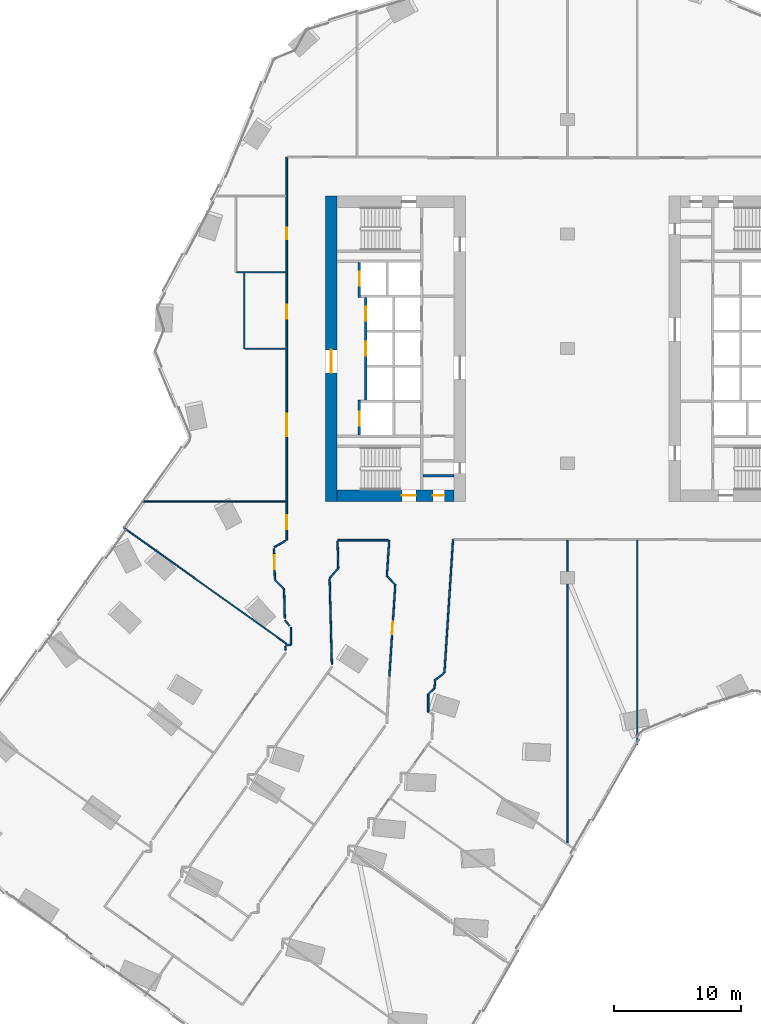
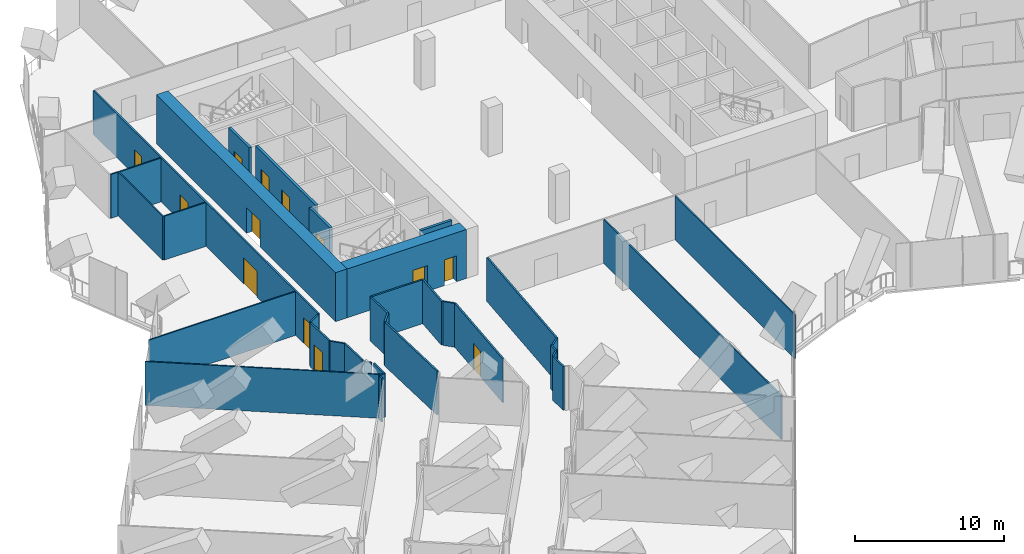
# One storey, part 26 of 34: 34 walls, 13 doors, 13 openings.
"""IFC4 building model written with IfcOpenShell, lengths in metres."""

from ifc_helpers import new_model, si_unit, direction, frame, frame_2d, origin, place, context, subcontext, project, spatial, rectangle, extrude, material, layer, layer_set, type_object, element, fill, save


model = new_model("IFC4")

# Units and contexts
model_context = context("Model", 3, precision=1e-05, world=origin(), true_north=direction((0.0, 1.0)))
body_context = subcontext(model_context, "Body", "Model", "MODEL_VIEW")
ifc_project = project(units=[si_unit("LENGTHUNIT", "METRE"), si_unit("AREAUNIT", "SQUARE_METRE"), si_unit("VOLUMEUNIT", "CUBIC_METRE"), si_unit("PLANEANGLEUNIT", "RADIAN"), si_unit("MASSUNIT", "GRAM", prefix="KILO")], contexts=[model_context])

# Site, building, storey
site_placement = place(None, origin())
site = spatial("IfcSite", under=ifc_project, at=site_placement, CompositionType="ELEMENT")
building_placement = place(site_placement, origin())
building = spatial("IfcBuilding", under=site, at=building_placement, Name="Orlundy Tower", CompositionType="ELEMENT")
storey_placement = place(building_placement, frame((0.0, 0.0, 98.199951171875)))
storey = spatial("IfcBuildingStorey", under=building, at=storey_placement, Name="L24", CompositionType="ELEMENT", Elevation=98.199951171875)

# Wall, openings, doors
ifc_material_1 = material(Name="Concrete C80/95", Category="concrete")
ifc_layer_1 = layer(ifc_material_1, 0.89990234375)
ifc_layer_set_1 = layer_set([ifc_layer_1], Name="CORE WALL 900 C80/95")
wall_type_1 = type_object("IfcWallType", Name="CORE WALL 900 C80/95", PredefinedType="SHEAR", material=ifc_layer_set_1)
wall_1_placement = place(storey_placement, frame((-18.10009765625, -11.550048828125, 0.0), z_axis=(0.0, 0.0, 1.0), x_axis=(1.0, 0.0, 0.0)))
wall_1 = element("IfcWall", 1, at=wall_1_placement, inside=storey, type_object=wall_type_1, Name="Core wall W-S L24", PredefinedType="SHEAR", context=body_context, shape_type="SweptSolid", body=[
    extrude(rectangle(XDim=9.2001953125, YDim=0.89990234375, at=frame_2d((4.60009765625, 0.0))), origin(), (0.0, 0.0, 1.0), 4.0),
])
opening_1_placement = place(wall_1_placement, frame((5.10009765625, 0.0, 0.0)))
opening_1 = element("IfcOpeningElement", 2, at=opening_1_placement, cuts=wall_1, Name="Opening 19013", PredefinedType="OPENING", context=body_context, shape_type="SweptSolid", body=[
    extrude(rectangle(XDim=1.10009765625, YDim=2.10009765625, at=frame_2d((0.550048828125, 1.050048828125))), frame((0.0, 0.4599609375, 0.0), z_axis=(0.0, -1.0, 0.0), x_axis=(1.0, 0.0, 0.0)), (0.0, 0.0, 1.0), 0.919921875),
])
opening_2_placement = place(wall_1_placement, frame((7.530029296875, 0.0, 0.0)))
opening_2 = element("IfcOpeningElement", 3, at=opening_2_placement, cuts=wall_1, Name="Opening 19015", PredefinedType="OPENING", context=body_context, shape_type="SweptSolid", body=[
    extrude(rectangle(XDim=0.89990234375, YDim=2.10009765625, at=frame_2d((0.449951171875, 1.050048828125))), frame((0.0, 0.4599609375, 0.0), z_axis=(0.0, -1.0, 0.0), x_axis=(1.0, 0.0, 0.0)), (0.0, 0.0, 1.0), 0.919921875),
])
ifc_material_2 = material(Name="Timber door set", Category="wood")
door_type_1 = type_object("IfcDoorType", Name="Room Door 900x2100", OperationType="SINGLE_SWING_LEFT", PredefinedType="DOOR", material=ifc_material_2)
door_1_placement = place(opening_2_placement, origin())
door_1 = element("IfcDoor", 4, at=door_1_placement, inside=storey, type_object=door_type_1, Name="Store door 19015", OperationType="SINGLE_SWING_RIGHT", OverallHeight=2.10009765625, OverallWidth=0.89990234375, PredefinedType="DOOR", context=body_context, shape_type="SweptSolid", body=[
    extrude(rectangle(XDim=0.89990234375, YDim=2.10009765625, at=frame_2d((0.449951171875, 1.050048828125))), frame((0.0, 0.02490234375, 0.0), z_axis=(0.0, -1.0, 0.0), x_axis=(1.0, 0.0, 0.0)), (0.0, 0.0, 1.0), 0.050048828125),
])
fill(opening_2, door_1)
ifc_material_3 = material(Name="Steel door set", Category="steel")
door_type_2 = type_object("IfcDoorType", Name="Stair Door 1100x2100", OperationType="SINGLE_SWING_LEFT", PredefinedType="DOOR", material=ifc_material_3)
door_2_placement = place(opening_1_placement, origin())
door_2 = element("IfcDoor", 5, at=door_2_placement, inside=storey, type_object=door_type_2, Name="Stair door 19013", OperationType="SINGLE_SWING_RIGHT", OverallHeight=2.10009765625, OverallWidth=1.10009765625, PredefinedType="DOOR", context=body_context, shape_type="SweptSolid", body=[
    extrude(rectangle(XDim=1.10009765625, YDim=2.10009765625, at=frame_2d((0.550048828125, 1.050048828125))), frame((0.0, 0.02490234375, 0.0), z_axis=(0.0, -1.0, 0.0), x_axis=(1.0, 0.0, 0.0)), (0.0, 0.0, 1.0), 0.050048828125),
])
fill(opening_1, door_2)

# Wall, opening, door
wall_2_placement = place(storey_placement, frame((-18.550048828125, -12.0, 0.0), z_axis=(0.0, 0.0, 1.0), x_axis=(0.0, 1.0, 0.0)))
wall_2 = element("IfcWall", 6, at=wall_2_placement, inside=storey, type_object=wall_type_1, Name="Core wall W-W L24", PredefinedType="SHEAR", context=body_context, shape_type="SweptSolid", body=[
    extrude(rectangle(XDim=24.0, YDim=0.89990234375, at=frame_2d((12.0, 0.0))), origin(), (0.0, 0.0, 1.0), 4.0),
])
opening_3_placement = place(wall_2_placement, frame((10.10009765625, 0.0, 0.0)))
opening_3 = element("IfcOpeningElement", 7, at=opening_3_placement, cuts=wall_2, Name="Opening 19010", PredefinedType="OPENING", context=body_context, shape_type="SweptSolid", body=[
    extrude(rectangle(XDim=1.800048828125, YDim=2.10009765625, at=frame_2d((0.89990234375, 1.050048828125))), frame((0.0, 0.4599609375, 0.0), z_axis=(0.0, -1.0, 0.0), x_axis=(1.0, 0.0, 0.0)), (0.0, 0.0, 1.0), 0.919921875),
])
ifc_material_4 = material(Name="Timber door set", Category="wood")
door_type_3 = type_object("IfcDoorType", Name="Lobby Door 1800x2100", OperationType="DOUBLE_DOOR_DOUBLE_SWING", PredefinedType="DOOR", material=ifc_material_4)
door_3_placement = place(opening_3_placement, origin())
door_3 = element("IfcDoor", 8, at=door_3_placement, inside=storey, type_object=door_type_3, Name="Lift lobby door 19010", OperationType="SINGLE_SWING_LEFT", OverallHeight=2.10009765625, OverallWidth=1.800048828125, PredefinedType="DOOR", context=body_context, shape_type="SweptSolid", body=[
    extrude(rectangle(XDim=1.800048828125, YDim=2.10009765625, at=frame_2d((0.89990234375, 1.050048828125))), frame((0.0, 0.02490234375, 0.0), z_axis=(0.0, -1.0, 0.0), x_axis=(1.0, 0.0, 0.0)), (0.0, 0.0, 1.0), 0.050048828125),
])
fill(opening_3, door_3)

# Walls
ifc_material_5 = material(Name="Gypsum board partition")
ifc_layer_2 = layer(ifc_material_5, 0.10009765625)
ifc_layer_set_2 = layer_set([ifc_layer_2], Name="Floor partition 100")
wall_type_2 = type_object("IfcWallType", Name="Floor partition 100", PredefinedType="PARTITIONING", material=ifc_layer_set_2)
wall_3_placement = place(storey_placement, frame((-34.889892578125, -14.0419921875, 0.0), z_axis=(0.0, 0.0, 1.0), x_axis=(0.814087743621, -0.580741892484, 0.0)))
element("IfcWall", 9, at=wall_3_placement, inside=storey, type_object=wall_type_2, Name="wall-int-L24-018", PredefinedType="PARTITIONING", context=body_context, shape_type="SweptSolid", body=[
    extrude(rectangle(XDim=15.731689453125, YDim=0.10009765625, at=frame_2d((7.86572265625, 0.0))), origin(), (0.0, 0.0, 1.0), 3.580078125),
])
wall_4_placement = place(storey_placement, frame((-33.43310546875, -12.0, 0.0), z_axis=(0.0, 0.0, 1.0), x_axis=(1.0, 0.0, 0.0)))
element("IfcWall", 10, at=wall_4_placement, inside=storey, type_object=wall_type_2, Name="wall-int-L24-066", PredefinedType="PARTITIONING", context=body_context, shape_type="SweptSolid", body=[
    extrude(rectangle(XDim=11.320068359375, YDim=0.10009765625, at=frame_2d((5.66015625, 0.0))), origin(), (0.0, 0.0, 1.0), 3.580078125),
])
wall_5_placement = place(storey_placement, frame((-25.3310546875, 0.0009765625, 0.0), z_axis=(0.0, 0.0, 1.0), x_axis=(1.0, 0.0, 0.0)))
element("IfcWall", 11, at=wall_5_placement, inside=storey, type_object=wall_type_2, Name="wall-int-L24-074", PredefinedType="PARTITIONING", context=body_context, shape_type="SweptSolid", body=[
    extrude(rectangle(XDim=3.218017578125, YDim=0.10009765625, at=frame_2d((1.60888671875, 0.0))), origin(), (0.0, 0.0, 1.0), 3.580078125),
])
wall_6_placement = place(storey_placement, frame((-25.998046875, 6.0009765625, 0.0), z_axis=(0.0, 0.0, 1.0), x_axis=(1.0, 0.0, 0.0)))
element("IfcWall", 12, at=wall_6_placement, inside=storey, type_object=wall_type_2, Name="wall-int-L24-075", PredefinedType="PARTITIONING", context=body_context, shape_type="SweptSolid", body=[
    extrude(rectangle(XDim=3.885009765625, YDim=0.10009765625, at=frame_2d((1.9423828125, 0.0))), origin(), (0.0, 0.0, 1.0), 3.580078125),
])
wall_7_placement = place(storey_placement, frame((5.493896484375, -31.1259765625, 0.0), z_axis=(0.0, 0.0, 1.0), x_axis=(7.5990151e-05, 0.999999997113, 0.0)))
element("IfcWall", 13, at=wall_7_placement, inside=storey, type_object=wall_type_2, Name="wall-int-L24-137", PredefinedType="PARTITIONING", context=body_context, shape_type="SweptSolid", body=[
    extrude(rectangle(XDim=16.06396484375, YDim=0.10009765625, at=frame_2d((8.031982421875, 0.0))), origin(), (0.0, 0.0, 1.0), 3.580078125),
])
wall_8_placement = place(storey_placement, frame((0.0, -38.83203125, 0.0), z_axis=(0.0, 0.0, 1.0), x_axis=(0.0, 1.0, 0.0)))
element("IfcWall", 14, at=wall_8_placement, inside=storey, type_object=wall_type_2, Name="wall-int-L24-139", PredefinedType="PARTITIONING", context=body_context, shape_type="SweptSolid", body=[
    extrude(rectangle(XDim=23.77001953125, YDim=0.10009765625, at=frame_2d((11.885009765625, 0.0))), origin(), (0.0, 0.0, 1.0), 3.580078125),
])
wall_9_placement = place(storey_placement, frame((-25.382080078125, 0.001953125, 0.0), z_axis=(0.0, 0.0, 1.0), x_axis=(0.0, 1.0, 0.0)))
element("IfcWall", 15, at=wall_9_placement, inside=storey, type_object=wall_type_2, Name="wall-int-L24-153", PredefinedType="PARTITIONING", context=body_context, shape_type="SweptSolid", body=[
    extrude(rectangle(XDim=5.948974609375, YDim=0.10009765625, at=frame_2d((2.974609375, 0.0))), origin(), (0.0, 0.0, 1.0), 3.580078125),
])

# Wall, opening, door
ifc_material_6 = material(Name="Gypsum board partition, double layer")
ifc_layer_3 = layer(ifc_material_6, 0.125)
ifc_layer_set_3 = layer_set([ifc_layer_3], Name="Floor partition 125")
wall_type_3 = type_object("IfcWallType", Name="Floor partition 125", PredefinedType="PARTITIONING", material=ifc_layer_set_3)
wall_10_placement = place(storey_placement, frame((-22.98388671875, -18.10205078125, 0.0), z_axis=(0.0, 0.0, 1.0), x_axis=(-0.025838526194, 0.999666129547, 0.0)))
wall_10 = element("IfcWall", 16, at=wall_10_placement, inside=storey, type_object=wall_type_3, Name="wall-int-L24-001", PredefinedType="PARTITIONING", context=body_context, shape_type="SweptSolid", body=[
    extrude(rectangle(XDim=2.39990234375, YDim=0.125, at=frame_2d((1.199951171875, 0.0))), origin(), (0.0, 0.0, 1.0), 3.580078125),
])
opening_4_placement = place(wall_10_placement, frame((0.78759765625, 0.0, 0.0)))
opening_4 = element("IfcOpeningElement", 17, at=opening_4_placement, cuts=wall_10, Name="Opening 19123", PredefinedType="OPENING", context=body_context, shape_type="SweptSolid", body=[
    extrude(rectangle(XDim=1.10009765625, YDim=2.10009765625, at=frame_2d((0.550048828125, 1.050048828125))), frame((0.0, 0.072509765625, 0.0), z_axis=(0.0, -1.0, 0.0), x_axis=(1.0, 0.0, 0.0)), (0.0, 0.0, 1.0), 0.14501953125),
])
ifc_material_7 = material(Name="Timber door leaf", Category="wood")
door_type_4 = type_object("IfcDoorType", Name="Floor door xwide 1100 FD30S", OperationType="NOTDEFINED", PredefinedType="DOOR", material=ifc_material_7)
door_4_placement = place(opening_4_placement, origin())
door_4 = element("IfcDoor", 18, at=door_4_placement, inside=storey, type_object=door_type_4, Name="Door 19123", OperationType="SINGLE_SWING_RIGHT", OverallHeight=2.10009765625, OverallWidth=1.10009765625, PredefinedType="DOOR", context=body_context, shape_type="SweptSolid", body=[
    extrude(rectangle(XDim=1.10009765625, YDim=2.10009765625, at=frame_2d((0.550048828125, 1.050048828125))), frame((0.0, 0.02490234375, 0.0), z_axis=(0.0, -1.0, 0.0), x_axis=(1.0, 0.0, 0.0)), (0.0, 0.0, 1.0), 0.050048828125),
])
fill(opening_4, door_4)

# Walls
wall_11_placement = place(storey_placement, frame((-22.262939453125, -18.906982421875, 0.0), z_axis=(0.0, 0.0, 1.0), x_axis=(0.026365871187, -0.999652359991, 0.0)))
element("IfcWall", 19, at=wall_11_placement, inside=storey, type_object=wall_type_3, Name="wall-int-L24-002", PredefinedType="PARTITIONING", context=body_context, shape_type="SweptSolid", body=[
    extrude(rectangle(XDim=2.27783203125, YDim=0.125, at=frame_2d((1.138916015625, 0.0))), origin(), (0.0, 0.0, 1.0), 3.580078125),
])
wall_12_placement = place(storey_placement, frame((-22.14599609375, -23.39208984375, 0.0), z_axis=(0.0, 0.0, 1.0), x_axis=(0.026582061999, -0.999646634556, 0.0)))
element("IfcWall", 20, at=wall_12_placement, inside=storey, type_object=wall_type_3, Name="wall-int-L24-003", PredefinedType="PARTITIONING", context=body_context, shape_type="SweptSolid", body=[
    extrude(rectangle(XDim=0.302978515625, YDim=0.125, at=frame_2d((0.1513671875, 0.0))), origin(), (0.0, 0.0, 1.0), 3.580078125),
])
wall_13_placement = place(storey_placement, frame((-18.680908203125, -18.114013671875, 0.0), z_axis=(0.0, 0.0, 1.0), x_axis=(0.025970949463, -0.999662698006, 0.0)))
element("IfcWall", 21, at=wall_13_placement, inside=storey, type_object=wall_type_3, Name="wall-int-L24-004", PredefinedType="PARTITIONING", context=body_context, shape_type="SweptSolid", body=[
    extrude(rectangle(XDim=6.693115234375, YDim=0.125, at=frame_2d((3.3466796875, 0.0))), origin(), (0.0, 0.0, 1.0), 3.580078125),
])
wall_14_placement = place(storey_placement, frame((-18.05908203125, -15.113037109375, 0.0), z_axis=(0.0, 0.0, 1.0), x_axis=(0.026000479926, -0.999661930376, 0.0)))
element("IfcWall", 22, at=wall_14_placement, inside=storey, type_object=wall_type_3, Name="wall-int-L24-005", PredefinedType="PARTITIONING", context=body_context, shape_type="SweptSolid", body=[
    extrude(rectangle(XDim=2.15966796875, YDim=0.125, at=frame_2d((1.079833984375, 0.0))), origin(), (0.0, 0.0, 1.0), 3.580078125),
])
wall_15_placement = place(storey_placement, frame((-22.198974609375, -21.35302734375, 0.0), z_axis=(0.0, 0.0, 1.0), x_axis=(0.673360118055, -0.739314649803, 0.0)))
element("IfcWall", 23, at=wall_15_placement, inside=storey, type_object=wall_type_3, Name="wall-int-L24-008", PredefinedType="PARTITIONING", context=body_context, shape_type="SweptSolid", body=[
    extrude(rectangle(XDim=0.5478515625, YDim=0.125, at=frame_2d((0.27392578125, 0.0))), origin(), (0.0, 0.0, 1.0), 3.580078125),
])
wall_16_placement = place(storey_placement, frame((-10.333984375, -26.0, 0.0), z_axis=(0.0, 0.0, 1.0), x_axis=(0.784984641374, 0.619515224032, 0.0)))
element("IfcWall", 24, at=wall_16_placement, inside=storey, type_object=wall_type_3, Name="wall-int-L24-041", PredefinedType="PARTITIONING", context=body_context, shape_type="SweptSolid", body=[
    extrude(rectangle(XDim=0.858642578125, YDim=0.125, at=frame_2d((0.42919921875, 0.0))), origin(), (0.0, 0.0, 1.0), 3.580078125),
])
wall_17_placement = place(storey_placement, frame((-14.123046875, -17.93408203125, 0.0), z_axis=(0.0, 0.0, 1.0), x_axis=(0.698373637728, -0.715733373629, 0.0)))
element("IfcWall", 25, at=wall_17_placement, inside=storey, type_object=wall_type_3, Name="wall-int-L24-045", PredefinedType="PARTITIONING", context=body_context, shape_type="SweptSolid", body=[
    extrude(rectangle(XDim=0.85791015625, YDim=0.125, at=frame_2d((0.428955078125, 0.0))), origin(), (0.0, 0.0, 1.0), 3.580078125),
])
wall_18_placement = place(storey_placement, frame((-10.931884765625, -27.14892578125, 0.0), z_axis=(0.0, 0.0, 1.0), x_axis=(0.72568194661, 0.68803031355, 0.0)))
element("IfcWall", 26, at=wall_18_placement, inside=storey, type_object=wall_type_3, Name="wall-int-L24-056", PredefinedType="PARTITIONING", context=body_context, shape_type="SweptSolid", body=[
    extrude(rectangle(XDim=0.687255859375, YDim=0.125, at=frame_2d((0.34375, 0.0))), origin(), (0.0, 0.0, 1.0), 3.580078125),
])
wall_19_placement = place(storey_placement, frame((-22.14794921875, -23.281005859375, 0.0), z_axis=(0.0, 0.0, 1.0), x_axis=(1.0, 0.0, 0.0)))
element("IfcWall", 27, at=wall_19_placement, inside=storey, type_object=wall_type_3, Name="wall-int-L24-057", PredefinedType="PARTITIONING", context=body_context, shape_type="SweptSolid", body=[
    extrude(rectangle(XDim=0.427001953125, YDim=0.125, at=frame_2d((0.21337890625, 0.0))), origin(), (0.0, 0.0, 1.0), 3.580078125),
])
wall_20_placement = place(storey_placement, frame((-18.06103515625, -15.051025390625, 0.0), z_axis=(0.0, 0.0, 1.0), x_axis=(1.0, 0.0, 0.0)))
element("IfcWall", 28, at=wall_20_placement, inside=storey, type_object=wall_type_3, Name="wall-int-L24-061", PredefinedType="PARTITIONING", context=body_context, shape_type="SweptSolid", body=[
    extrude(rectangle(XDim=3.9990234375, YDim=0.125, at=frame_2d((1.99951171875, 0.0))), origin(), (0.0, 0.0, 1.0), 3.580078125),
])
wall_21_placement = place(storey_placement, frame((-22.98193359375, -18.1640625, 0.0), z_axis=(0.0, 0.0, 1.0), x_axis=(0.695441095264, -0.718583107941, 0.0)))
element("IfcWall", 29, at=wall_21_placement, inside=storey, type_object=wall_type_3, Name="wall-int-L24-081", PredefinedType="PARTITIONING", context=body_context, shape_type="SweptSolid", body=[
    extrude(rectangle(XDim=1.033935546875, YDim=0.125, at=frame_2d((0.51708984375, 0.0))), origin(), (0.0, 0.0, 1.0), 3.580078125),
])
wall_22_placement = place(storey_placement, frame((-18.68310546875, -18.052001953125, 0.0), z_axis=(0.0, 0.0, 1.0), x_axis=(0.657217677818, 0.753700818603, 0.0)))
element("IfcWall", 30, at=wall_22_placement, inside=storey, type_object=wall_type_3, Name="wall-int-L24-082", PredefinedType="PARTITIONING", context=body_context, shape_type="SweptSolid", body=[
    extrude(rectangle(XDim=1.034912109375, YDim=0.125, at=frame_2d((0.517578125, 0.0))), origin(), (0.0, 0.0, 1.0), 3.580078125),
])
wall_23_placement = place(storey_placement, frame((-23.034912109375, -15.594970703125, 0.0), z_axis=(0.0, 0.0, 1.0), x_axis=(0.871862217124, 0.489751237213, 0.0)))
element("IfcWall", 31, at=wall_23_placement, inside=storey, type_object=wall_type_3, Name="wall-int-L24-084", PredefinedType="PARTITIONING", context=body_context, shape_type="SweptSolid", body=[
    extrude(rectangle(XDim=1.02294921875, YDim=0.125, at=frame_2d((0.511474609375, 0.0))), origin(), (0.0, 0.0, 1.0), 3.580078125),
])
wall_24_placement = place(storey_placement, frame((-9.659912109375, -25.468017578125, 0.0), z_axis=(0.0, 0.0, 1.0), x_axis=(0.064433857117, 0.997921979945, 0.0)))
element("IfcWall", 32, at=wall_24_placement, inside=storey, type_object=wall_type_3, Name="wall-int-L24-117", PredefinedType="PARTITIONING", context=body_context, shape_type="SweptSolid", body=[
    extrude(rectangle(XDim=10.49169921875, YDim=0.125, at=frame_2d((5.245849609375, 0.0))), origin(), (0.0, 0.0, 1.0), 3.580078125),
])

# Wall, opening, door
wall_25_placement = place(storey_placement, frame((-13.989990234375, -25.781982421875, 0.0), z_axis=(0.0, 0.0, 1.0), x_axis=(0.0642946406, 0.99793095913, 0.0)))
wall_25 = element("IfcWall", 33, at=wall_25_placement, inside=storey, type_object=wall_type_3, Name="wall-int-L24-118", PredefinedType="PARTITIONING", context=body_context, shape_type="SweptSolid", body=[
    extrude(rectangle(XDim=7.248779296875, YDim=0.125, at=frame_2d((3.62451171875, 0.0))), origin(), (0.0, 0.0, 1.0), 3.580078125),
])
opening_5_placement = place(wall_25_placement, frame((3.35009765625, 0.0, 0.0)))
opening_5 = element("IfcOpeningElement", 34, at=opening_5_placement, cuts=wall_25, Name="Opening 19125", PredefinedType="OPENING", context=body_context, shape_type="SweptSolid", body=[
    extrude(rectangle(XDim=1.0, YDim=2.10009765625, at=frame_2d((0.5, 1.050048828125))), frame((0.0, 0.072509765625, 0.0), z_axis=(0.0, -1.0, 0.0), x_axis=(1.0, 0.0, 0.0)), (0.0, 0.0, 1.0), 0.14501953125),
])
ifc_material_8 = material(Name="Timber door leaf", Category="wood")
door_type_5 = type_object("IfcDoorType", Name="Floor door wide 1000 FD30S", OperationType="NOTDEFINED", PredefinedType="DOOR", material=ifc_material_8)
door_5_placement = place(opening_5_placement, origin())
door_5 = element("IfcDoor", 35, at=door_5_placement, inside=storey, type_object=door_type_5, Name="Door 19125", OperationType="SINGLE_SWING_RIGHT", OverallHeight=2.10009765625, OverallWidth=1.0, PredefinedType="DOOR", context=body_context, shape_type="SweptSolid", body=[
    extrude(rectangle(XDim=1.0, YDim=2.10009765625, at=frame_2d((0.5, 1.050048828125))), frame((0.0, 0.02490234375, 0.0), z_axis=(0.0, -1.0, 0.0), x_axis=(1.0, 0.0, 0.0)), (0.0, 0.0, 1.0), 0.050048828125),
])
fill(opening_5, door_5)

# Walls
wall_26_placement = place(storey_placement, frame((-14.18505859375, -17.929931640625, 0.0), z_axis=(0.0, 0.0, 1.0), x_axis=(0.064485583676, 0.997918638717, 0.0)))
element("IfcWall", 36, at=wall_26_placement, inside=storey, type_object=wall_type_3, Name="wall-int-L24-119", PredefinedType="PARTITIONING", context=body_context, shape_type="SweptSolid", body=[
    extrude(rectangle(XDim=2.885009765625, YDim=0.125, at=frame_2d((1.4423828125, 0.0))), origin(), (0.0, 0.0, 1.0), 3.580078125),
])
wall_27_placement = place(storey_placement, frame((-10.43310546875, -26.676025390625, 0.0), z_axis=(0.0, 0.0, 1.0), x_axis=(0.054496990339, 0.998513934827, 0.0)))
element("IfcWall", 37, at=wall_27_placement, inside=storey, type_object=wall_type_3, Name="wall-int-L24-121", PredefinedType="PARTITIONING", context=body_context, shape_type="SweptSolid", body=[
    extrude(rectangle(XDim=0.680908203125, YDim=0.125, at=frame_2d((0.34033203125, 0.0))), origin(), (0.0, 0.0, 1.0), 3.580078125),
])
wall_28_placement = place(storey_placement, frame((-10.931884765625, -28.568115234375, 0.0), z_axis=(0.0, 0.0, 1.0), x_axis=(0.0, 1.0, 0.0)))
element("IfcWall", 38, at=wall_28_placement, inside=storey, type_object=wall_type_3, Name="wall-int-L24-142", PredefinedType="PARTITIONING", context=body_context, shape_type="SweptSolid", body=[
    extrude(rectangle(XDim=1.419189453125, YDim=0.125, at=frame_2d((0.70947265625, 0.0))), origin(), (0.0, 0.0, 1.0), 3.580078125),
])
wall_29_placement = place(storey_placement, frame((-21.720947265625, -23.281005859375, 0.0), z_axis=(0.0, 0.0, 1.0), x_axis=(0.0, 1.0, 0.0)))
element("IfcWall", 39, at=wall_29_placement, inside=storey, type_object=wall_type_3, Name="wall-int-L24-147", PredefinedType="PARTITIONING", context=body_context, shape_type="SweptSolid", body=[
    extrude(rectangle(XDim=1.404052734375, YDim=0.125, at=frame_2d((0.7021484375, 0.0))), origin(), (0.0, 0.0, 1.0), 3.580078125),
])

# Wall, openings, doors
wall_30_placement = place(storey_placement, frame((-22.050048828125, -15.0419921875, 0.0), z_axis=(0.0, 0.0, 1.0), x_axis=(0.0, 1.0, 0.0)))
wall_30 = element("IfcWall", 40, at=wall_30_placement, inside=storey, type_object=wall_type_3, Name="wall-int-L24-148", PredefinedType="PARTITIONING", context=body_context, shape_type="SweptSolid", body=[
    extrude(rectangle(XDim=30.093017578125, YDim=0.125, at=frame_2d((15.04638671875, 0.0))), origin(), (0.0, 0.0, 1.0), 3.580078125),
])
opening_6_placement = place(wall_30_placement, frame((8.14208984375, 0.0, 0.0)))
opening_6 = element("IfcOpeningElement", 41, at=opening_6_placement, cuts=wall_30, Name="Opening 19122", PredefinedType="OPENING", context=body_context, shape_type="SweptSolid", body=[
    extrude(rectangle(XDim=1.800048828125, YDim=2.10009765625, at=frame_2d((0.89990234375, 1.050048828125))), frame((0.0, 0.072509765625, 0.0), z_axis=(0.0, -1.0, 0.0), x_axis=(1.0, 0.0, 0.0)), (0.0, 0.0, 1.0), 0.14501953125),
])
opening_7_placement = place(wall_30_placement, frame((0.85009765625, 0.0, 0.0)))
opening_7 = element("IfcOpeningElement", 42, at=opening_7_placement, cuts=wall_30, Name="Opening 19124", PredefinedType="OPENING", context=body_context, shape_type="SweptSolid", body=[
    extrude(rectangle(XDim=1.10009765625, YDim=2.10009765625, at=frame_2d((0.550048828125, 1.050048828125))), frame((0.0, 0.072509765625, 0.0), z_axis=(0.0, -1.0, 0.0), x_axis=(1.0, 0.0, 0.0)), (0.0, 0.0, 1.0), 0.14501953125),
])
opening_8_placement = place(wall_30_placement, frame((23.64306640625, 0.0, 0.0)))
opening_8 = element("IfcOpeningElement", 43, at=opening_8_placement, cuts=wall_30, Name="Opening 19137", PredefinedType="OPENING", context=body_context, shape_type="SweptSolid", body=[
    extrude(rectangle(XDim=0.89990234375, YDim=2.10009765625, at=frame_2d((0.449951171875, 1.050048828125))), frame((0.0, 0.072509765625, 0.0), z_axis=(0.0, -1.0, 0.0), x_axis=(1.0, 0.0, 0.0)), (0.0, 0.0, 1.0), 0.14501953125),
])
opening_9_placement = place(wall_30_placement, frame((17.39404296875, 0.0, 0.0)))
opening_9 = element("IfcOpeningElement", 44, at=opening_9_placement, cuts=wall_30, Name="Opening 19138", PredefinedType="OPENING", context=body_context, shape_type="SweptSolid", body=[
    extrude(rectangle(XDim=1.10009765625, YDim=2.10009765625, at=frame_2d((0.550048828125, 1.050048828125))), frame((0.0, 0.072509765625, 0.0), z_axis=(0.0, -1.0, 0.0), x_axis=(1.0, 0.0, 0.0)), (0.0, 0.0, 1.0), 0.14501953125),
])
ifc_material_9 = material(Name="Timber door leaf", Category="wood")
door_type_6 = type_object("IfcDoorType", Name="Floor door double 1800 FD30S", OperationType="NOTDEFINED", PredefinedType="DOOR", material=ifc_material_9)
door_6_placement = place(opening_6_placement, origin())
door_6 = element("IfcDoor", 45, at=door_6_placement, inside=storey, type_object=door_type_6, Name="Door 19122", OperationType="DOUBLE_DOOR_SINGLE_SWING", OverallHeight=2.10009765625, OverallWidth=1.800048828125, PredefinedType="DOOR", context=body_context, shape_type="SweptSolid", body=[
    extrude(rectangle(XDim=1.800048828125, YDim=2.10009765625, at=frame_2d((0.89990234375, 1.050048828125))), frame((0.0, 0.02490234375, 0.0), z_axis=(0.0, -1.0, 0.0), x_axis=(1.0, 0.0, 0.0)), (0.0, 0.0, 1.0), 0.050048828125),
])
fill(opening_6, door_6)
ifc_material_10 = material(Name="Timber door leaf", Category="wood")
door_type_7 = type_object("IfcDoorType", Name="Floor door single 900 FD30S", OperationType="NOTDEFINED", PredefinedType="DOOR", material=ifc_material_10)
door_7_placement = place(opening_8_placement, origin())
door_7 = element("IfcDoor", 46, at=door_7_placement, inside=storey, type_object=door_type_7, Name="Door 19137", OperationType="SINGLE_SWING_RIGHT", OverallHeight=2.10009765625, OverallWidth=0.89990234375, PredefinedType="DOOR", context=body_context, shape_type="SweptSolid", body=[
    extrude(rectangle(XDim=0.89990234375, YDim=2.10009765625, at=frame_2d((0.449951171875, 1.050048828125))), frame((0.0, 0.02490234375, 0.0), z_axis=(0.0, -1.0, 0.0), x_axis=(1.0, 0.0, 0.0)), (0.0, 0.0, 1.0), 0.050048828125),
])
fill(opening_8, door_7)
door_8_placement = place(opening_7_placement, origin())
door_8 = element("IfcDoor", 47, at=door_8_placement, inside=storey, type_object=door_type_4, Name="Door 19124", OperationType="SINGLE_SWING_LEFT", OverallHeight=2.10009765625, OverallWidth=1.10009765625, PredefinedType="DOOR", context=body_context, shape_type="SweptSolid", body=[
    extrude(rectangle(XDim=1.10009765625, YDim=2.10009765625, at=frame_2d((0.550048828125, 1.050048828125))), frame((0.0, 0.02490234375, 0.0), z_axis=(0.0, -1.0, 0.0), x_axis=(1.0, 0.0, 0.0)), (0.0, 0.0, 1.0), 0.050048828125),
])
fill(opening_7, door_8)
door_9_placement = place(opening_9_placement, origin())
door_9 = element("IfcDoor", 48, at=door_9_placement, inside=storey, type_object=door_type_4, Name="Door 19138", OperationType="SINGLE_SWING_RIGHT", OverallHeight=2.10009765625, OverallWidth=1.10009765625, PredefinedType="DOOR", context=body_context, shape_type="SweptSolid", body=[
    extrude(rectangle(XDim=1.10009765625, YDim=2.10009765625, at=frame_2d((0.550048828125, 1.050048828125))), frame((0.0, 0.02490234375, 0.0), z_axis=(0.0, -1.0, 0.0), x_axis=(1.0, 0.0, 0.0)), (0.0, 0.0, 1.0), 0.050048828125),
])
fill(opening_9, door_9)

# Wall
ifc_material_11 = material(Name="Gypsum board partition on steel studs", Category="steel")
ifc_layer_4 = layer(ifc_material_11, 0.199951171875)
ifc_layer_set_4 = layer_set([ifc_layer_4], Name="Partition 200")
wall_type_4 = type_object("IfcWallType", Name="Partition 200", PredefinedType="PARTITIONING", material=ifc_layer_set_4)
wall_31_placement = place(storey_placement, frame((-8.89990234375, -10.0, 0.0), z_axis=(0.0, 0.0, 1.0), x_axis=(-1.0, 0.0, 0.0)))
element("IfcWall", 49, at=wall_31_placement, inside=storey, type_object=wall_type_4, Name="Partition wall W19-room-s0", PredefinedType="PARTITIONING", context=body_context, shape_type="SweptSolid", body=[
    extrude(rectangle(XDim=2.440185546875, YDim=0.199951171875, at=frame_2d((1.22021484375, 0.0))), origin(), (0.0, 0.0, 1.0), 3.590087890625),
])

# Wall, opening, door
ifc_material_12 = material(Name="Fire-rated blockwork shaft wall", Category="masonry")
ifc_layer_5 = layer(ifc_material_12, 0.199951171875)
ifc_layer_set_5 = layer_set([ifc_layer_5], Name="Shaft Wall 200")
wall_type_5 = type_object("IfcWallType", Name="Shaft Wall 200", PredefinedType="SOLIDWALL", material=ifc_layer_set_5)
wall_32_placement = place(storey_placement, frame((-16.340087890625, -6.77490234375, 0.0), z_axis=(0.0, 0.0, 1.0), x_axis=(0.0, 1.0, 0.0)))
wall_32 = element("IfcWall", 50, at=wall_32_placement, inside=storey, type_object=wall_type_5, Name="Shaft wall W19-front-o-a", PredefinedType="SOLIDWALL", context=body_context, shape_type="SweptSolid", body=[
    extrude(rectangle(XDim=2.75, YDim=0.199951171875, at=frame_2d((1.375, 0.0))), origin(), (0.0, 0.0, 1.0), 3.590087890625),
])
opening_10_placement = place(wall_32_placement, frame((0.72509765625, 0.0, 0.0)))
opening_10 = element("IfcOpeningElement", 51, at=opening_10_placement, cuts=wall_32, Name="Opening 19001", PredefinedType="OPENING", context=body_context, shape_type="SweptSolid", body=[
    extrude(rectangle(XDim=1.10009765625, YDim=2.10009765625, at=frame_2d((0.550048828125, 1.050048828125))), frame((0.0, 0.110107421875, 0.0), z_axis=(0.0, -1.0, 0.0), x_axis=(1.0, 0.0, 0.0)), (0.0, 0.0, 1.0), 0.22021484375),
])
ifc_material_13 = material(Name="Steel door set", Category="steel")
door_type_8 = type_object("IfcDoorType", Name="Landing Door 1100x2100", OperationType="DOUBLE_DOOR_SLIDING", PredefinedType="DOOR", material=ifc_material_13)
door_10_placement = place(opening_10_placement, origin())
door_10 = element("IfcDoor", 52, at=door_10_placement, inside=storey, type_object=door_type_8, Name="Lift landing door LV-01 19001", OperationType="DOUBLE_DOOR_SLIDING", OverallHeight=2.10009765625, OverallWidth=1.10009765625, PredefinedType="DOOR", context=body_context, shape_type="SweptSolid", body=[
    extrude(rectangle(XDim=1.10009765625, YDim=2.10009765625, at=frame_2d((0.550048828125, 1.050048828125))), frame((0.0, 0.02490234375, 0.0), z_axis=(0.0, -1.0, 0.0), x_axis=(1.0, 0.0, 0.0)), (0.0, 0.0, 1.0), 0.050048828125),
])
fill(opening_10, door_10)

# Wall, openings, doors
wall_33_placement = place(storey_placement, frame((-15.840087890625, -4.02490234375, 0.0), z_axis=(0.0, 0.0, 1.0), x_axis=(0.0, 1.0, 0.0)))
wall_33 = element("IfcWall", 53, at=wall_33_placement, inside=storey, type_object=wall_type_5, Name="Shaft wall W19-front-o-b", PredefinedType="SOLIDWALL", context=body_context, shape_type="SweptSolid", body=[
    extrude(rectangle(XDim=8.0498046875, YDim=0.199951171875, at=frame_2d((4.02490234375, 0.0))), origin(), (0.0, 0.0, 1.0), 3.590087890625),
])
opening_11_placement = place(wall_33_placement, frame((3.47509765625, 0.0, 0.0)))
opening_11 = element("IfcOpeningElement", 54, at=opening_11_placement, cuts=wall_33, Name="Opening 19003", PredefinedType="OPENING", context=body_context, shape_type="SweptSolid", body=[
    extrude(rectangle(XDim=1.10009765625, YDim=2.10009765625, at=frame_2d((0.550048828125, 1.050048828125))), frame((0.0, 0.110107421875, 0.0), z_axis=(0.0, -1.0, 0.0), x_axis=(1.0, 0.0, 0.0)), (0.0, 0.0, 1.0), 0.22021484375),
])
opening_12_placement = place(wall_33_placement, frame((6.22509765625, 0.0, 0.0)))
opening_12 = element("IfcOpeningElement", 55, at=opening_12_placement, cuts=wall_33, Name="Opening 19005", PredefinedType="OPENING", context=body_context, shape_type="SweptSolid", body=[
    extrude(rectangle(XDim=1.10009765625, YDim=2.10009765625, at=frame_2d((0.550048828125, 1.050048828125))), frame((0.0, 0.110107421875, 0.0), z_axis=(0.0, -1.0, 0.0), x_axis=(1.0, 0.0, 0.0)), (0.0, 0.0, 1.0), 0.22021484375),
])
door_11_placement = place(opening_11_placement, origin())
door_11 = element("IfcDoor", 56, at=door_11_placement, inside=storey, type_object=door_type_8, Name="Lift landing door LP-01 19003", OperationType="DOUBLE_DOOR_SLIDING", OverallHeight=2.10009765625, OverallWidth=1.10009765625, PredefinedType="DOOR", context=body_context, shape_type="SweptSolid", body=[
    extrude(rectangle(XDim=1.10009765625, YDim=2.10009765625, at=frame_2d((0.550048828125, 1.050048828125))), frame((0.0, 0.02490234375, 0.0), z_axis=(0.0, -1.0, 0.0), x_axis=(1.0, 0.0, 0.0)), (0.0, 0.0, 1.0), 0.050048828125),
])
fill(opening_11, door_11)
door_12_placement = place(opening_12_placement, origin())
door_12 = element("IfcDoor", 57, at=door_12_placement, inside=storey, type_object=door_type_8, Name="Lift landing door LP-03 19005", OperationType="DOUBLE_DOOR_SLIDING", OverallHeight=2.10009765625, OverallWidth=1.10009765625, PredefinedType="DOOR", context=body_context, shape_type="SweptSolid", body=[
    extrude(rectangle(XDim=1.10009765625, YDim=2.10009765625, at=frame_2d((0.550048828125, 1.050048828125))), frame((0.0, 0.02490234375, 0.0), z_axis=(0.0, -1.0, 0.0), x_axis=(1.0, 0.0, 0.0)), (0.0, 0.0, 1.0), 0.050048828125),
])
fill(opening_12, door_12)

# Wall, opening, door
wall_34_placement = place(storey_placement, frame((-16.340087890625, 4.02490234375, 0.0), z_axis=(0.0, 0.0, 1.0), x_axis=(0.0, 1.0, 0.0)))
wall_34 = element("IfcWall", 58, at=wall_34_placement, inside=storey, type_object=wall_type_5, Name="Shaft wall W19-front-o-c", PredefinedType="SOLIDWALL", context=body_context, shape_type="SweptSolid", body=[
    extrude(rectangle(XDim=2.75, YDim=0.199951171875, at=frame_2d((1.375, 0.0))), origin(), (0.0, 0.0, 1.0), 3.590087890625),
])
opening_13_placement = place(wall_34_placement, frame((0.925048828125, 0.0, 0.0)))
opening_13 = element("IfcOpeningElement", 59, at=opening_13_placement, cuts=wall_34, Name="Opening 19007", PredefinedType="OPENING", context=body_context, shape_type="SweptSolid", body=[
    extrude(rectangle(XDim=1.10009765625, YDim=2.10009765625, at=frame_2d((0.550048828125, 1.050048828125))), frame((0.0, 0.110107421875, 0.0), z_axis=(0.0, -1.0, 0.0), x_axis=(1.0, 0.0, 0.0)), (0.0, 0.0, 1.0), 0.22021484375),
])
door_13_placement = place(opening_13_placement, origin())
door_13 = element("IfcDoor", 60, at=door_13_placement, inside=storey, type_object=door_type_8, Name="Lift landing door LP-04 19007", OperationType="DOUBLE_DOOR_SLIDING", OverallHeight=2.10009765625, OverallWidth=1.10009765625, PredefinedType="DOOR", context=body_context, shape_type="SweptSolid", body=[
    extrude(rectangle(XDim=1.10009765625, YDim=2.10009765625, at=frame_2d((0.550048828125, 1.050048828125))), frame((0.0, 0.02490234375, 0.0), z_axis=(0.0, -1.0, 0.0), x_axis=(1.0, 0.0, 0.0)), (0.0, 0.0, 1.0), 0.050048828125),
])
fill(opening_13, door_13)

save(model, "model.ifc")
